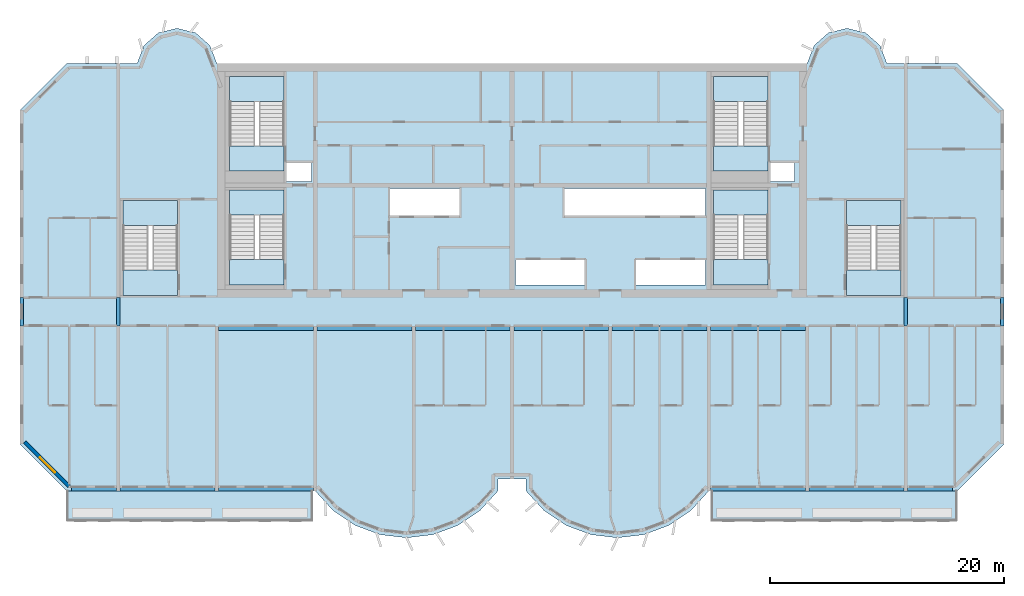
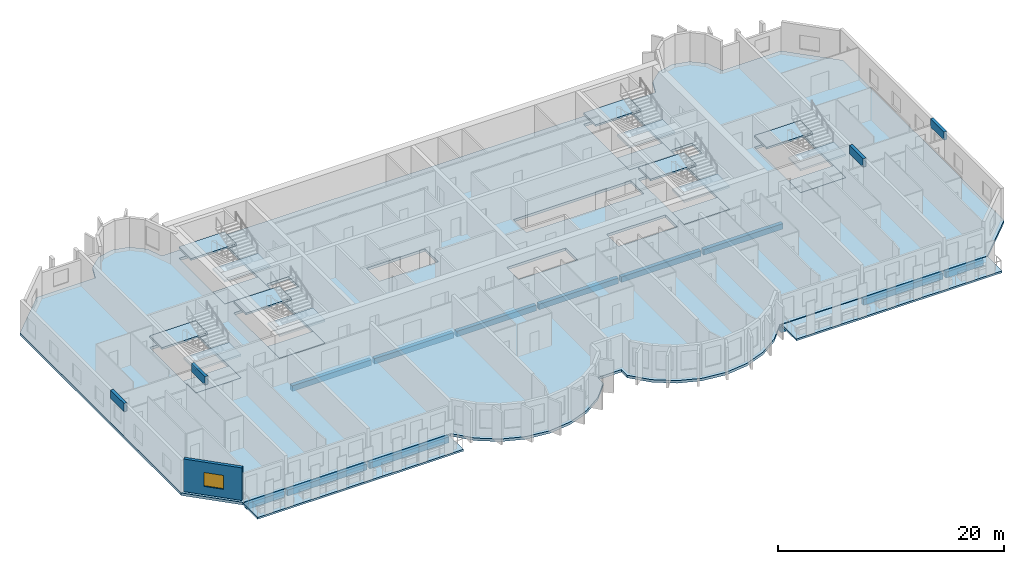
# One storey, part 1 of 13: 21 slabs, 16 beams, 1 wall, 1 window, 1 opening, 6 elements without a shape of their own.
"""IFC4 building model written with IfcOpenShell, lengths in metres."""

from ifc_helpers import new_model, si_unit, direction, frame, frame_2d, origin, origin_2d, place, context, subcontext, project, spatial, polyline, rectangle, outline, extrude, source, transform, mapped, material, layer, layer_set, material_profile, profile_set, type_object, element, fill, aggregate, save


model = new_model("IFC4")

# Units and contexts
model_context = context("Model", 3, precision=1e-05, world=origin(), true_north=direction((0.0, 1.0)))
body_context = subcontext(model_context, "Body", "Model", "MODEL_VIEW")
ifc_project = project(units=[si_unit("LENGTHUNIT", "METRE"), si_unit("AREAUNIT", "SQUARE_METRE"), si_unit("VOLUMEUNIT", "CUBIC_METRE"), si_unit("PLANEANGLEUNIT", "RADIAN"), si_unit("MASSUNIT", "GRAM", prefix="KILO")], contexts=[model_context])

# Site, building, storey
site_placement = place(None, origin())
site = spatial("IfcSite", under=ifc_project, at=site_placement, CompositionType="ELEMENT")
building_placement = place(site_placement, origin())
building = spatial("IfcBuilding", under=site, at=building_placement, Name="Vanashikhar Sky Hotel", CompositionType="ELEMENT")
storey_placement = place(building_placement, frame((0.0, 0.0, 193.39990234375)))
storey = spatial("IfcBuildingStorey", under=building, at=storey_placement, Name="L47", CompositionType="ELEMENT", Elevation=193.39990234375)

# Beams
ifc_material_1 = material(Name="Concrete M50", Category="concrete")
ifc_material_profile_1 = material_profile(ifc_material_1, rectangle(XDim=0.300048828125, YDim=0.89990234375, at=origin_2d()))
ifc_profile_set_1 = profile_set([ifc_material_profile_1], Name="RC 300x900 beam Concrete M50")
beam_type_1 = type_object("IfcBeamType", Name="RC 300x900 beam Concrete M50", PredefinedType="LINTEL", material=ifc_profile_set_1)
shared_shape_1 = source(origin(), body_context, "Body", "SweptSolid", [
    extrude(rectangle(XDim=0.300048828125, YDim=0.89990234375, at=origin_2d()), origin(), (0.0, 0.0, 1.0), 2.39990234375),
])
for number, where, z_axis, x_axis, name in (
    (1, (8.550048828125, 19.60009765625, 3.070068359375), (0.0, 1.0, 0.0), (-1.0, 0.0, 0.0), "LB-L47-XW02"),
    (2, (16.800048828125, 19.60009765625, 3.070068359375), (0.0, 1.0, 0.0), (-1.0, 0.0, 0.0), "LB-L47-XW03"),
    (3, (84.0, 19.60009765625, 3.070068359375), (0.0, 1.0, 0.0), (-1.0, 0.0, 0.0), "LB-L47-XW11"),
    (4, (92.25, 19.60009765625, 3.070068359375), (0.0, 1.0, 0.0), (-1.0, 0.0, 0.0), "LB-L47-XW12"),
):
    element("IfcBeam", number, at=place(storey_placement, frame(where, z_axis=z_axis, x_axis=x_axis)), inside=storey, type_object=beam_type_1, Name=name, PredefinedType="LINTEL", context=body_context, shape_type="MappedRepresentation", body=[
        mapped(shared_shape_1, transform((0.0, 0.0, 0.0), scale=1.0)),
    ])
ifc_material_profile_2 = material_profile(ifc_material_1, rectangle(XDim=0.39990234375, YDim=0.64990234375, at=origin_2d()))
ifc_profile_set_2 = profile_set([ifc_material_profile_2], Name="RC 400x650 beam Concrete M50")
beam_type_2 = type_object("IfcBeamType", Name="RC 400x650 beam Concrete M50", PredefinedType="BEAM", material=ifc_profile_set_2)
shared_shape_2 = source(origin(), body_context, "Body", "SweptSolid", [
    extrude(rectangle(XDim=0.39990234375, YDim=0.64990234375, at=origin_2d()), origin(), (0.0, 0.0, 1.0), 8.10009765625),
])
for number, where, z_axis, x_axis, name in (
    (5, (16.949951171875, 5.699951171875, -0.60498046875), (1.0, 0.0, 0.0), (0.0, 1.0, 0.0), "EB-L47-F01"),
    (6, (75.75, 5.699951171875, -0.60498046875), (1.0, 0.0, 0.0), (0.0, 1.0, 0.0), "EB-L47-F05"),
):
    element("IfcBeam", number, at=place(storey_placement, frame(where, z_axis=z_axis, x_axis=x_axis)), inside=storey, type_object=beam_type_2, Name=name, PredefinedType="BEAM", context=body_context, shape_type="MappedRepresentation", body=[
        mapped(shared_shape_2, transform((0.0, 0.0, 0.0), scale=1.0)),
    ])
shared_shape_3 = source(origin(), body_context, "Body", "SweptSolid", [
    extrude(rectangle(XDim=0.39990234375, YDim=0.64990234375, at=origin_2d()), origin(), (0.0, 0.0, 1.0), 8.099853515625),
])
for number, where, z_axis, x_axis, name in (
    (7, (25.35009765625, 5.699951171875, -0.60498046875), (1.0, 0.0, 0.0), (0.0, 1.0, 0.0), "EB-L47-F02"),
    (8, (67.35009765625, 5.699951171875, -0.60498046875), (1.0, 0.0, 0.0), (0.0, 1.0, 0.0), "EB-L47-F04"),
):
    element("IfcBeam", number, at=place(storey_placement, frame(where, z_axis=z_axis, x_axis=x_axis)), inside=storey, type_object=beam_type_2, Name=name, PredefinedType="BEAM", context=body_context, shape_type="MappedRepresentation", body=[
        mapped(shared_shape_3, transform((0.0, 0.0, 0.0), scale=1.0)),
    ])
ifc_material_profile_3 = material_profile(ifc_material_1, rectangle(XDim=0.39990234375, YDim=0.64990234375, at=origin_2d()))
ifc_profile_set_3 = profile_set([ifc_material_profile_3], Name="RC 400x650 cantilever beam Concrete M50")
beam_type_3 = type_object("IfcBeamType", Name="RC 400x650 cantilever beam Concrete M50", PredefinedType="SPANDREL", material=ifc_profile_set_3)
shared_shape_4 = source(origin(), body_context, "Body", "SweptSolid", [
    extrude(rectangle(XDim=0.39990234375, YDim=0.64990234375, at=origin_2d()), origin(), (0.0, 0.0, 1.0), 3.849853515625),
])
beam_1_placement = place(storey_placement, frame((12.800048828125, 5.699951171875, -0.60498046875), z_axis=(1.0, 0.0, 0.0), x_axis=(0.0, 1.0, 0.0)))
element("IfcBeam", 9, at=beam_1_placement, inside=storey, type_object=beam_type_3, Name="EB-L47-F03", PredefinedType="SPANDREL", context=body_context, shape_type="MappedRepresentation", body=[
    mapped(shared_shape_4, transform((0.0, 0.0, 0.0), scale=1.0)),
])
shared_shape_5 = source(origin(), body_context, "Body", "SweptSolid", [
    extrude(rectangle(XDim=0.39990234375, YDim=0.64990234375, at=origin_2d()), origin(), (0.0, 0.0, 1.0), 3.85009765625),
])
beam_2_placement = place(storey_placement, frame((84.14990234375, 5.699951171875, -0.60498046875), z_axis=(1.0, 0.0, 0.0), x_axis=(0.0, 1.0, 0.0)))
element("IfcBeam", 10, at=beam_2_placement, inside=storey, type_object=beam_type_3, Name="EB-L47-F06", PredefinedType="SPANDREL", context=body_context, shape_type="MappedRepresentation", body=[
    mapped(shared_shape_5, transform((0.0, 0.0, 0.0), scale=1.0)),
])
ifc_material_profile_4 = material_profile(ifc_material_1, rectangle(XDim=0.39990234375, YDim=0.60009765625, at=origin_2d()))
ifc_profile_set_4 = profile_set([ifc_material_profile_4], Name="RC 400x600 beam Concrete M50")
beam_type_4 = type_object("IfcBeamType", Name="RC 400x600 beam Concrete M50", PredefinedType="BEAM", material=ifc_profile_set_4)
shared_shape_6 = source(origin(), body_context, "Body", "SweptSolid", [
    extrude(rectangle(XDim=0.39990234375, YDim=0.60009765625, at=origin_2d()), origin(), (0.0, 0.0, 1.0), 8.099853515625),
])
for number, where, z_axis, x_axis, name in (
    (11, (25.35009765625, 19.39990234375, -0.579833984375), (1.0, 0.0, 0.0), (0.0, 1.0, 0.0), "CB-L47-01"),
    (12, (50.550048828125, 19.39990234375, -0.579833984375), (1.0, 0.0, 0.0), (0.0, 1.0, 0.0), "CB-L47-04"),
    (13, (67.35009765625, 19.39990234375, -0.579833984375), (1.0, 0.0, 0.0), (0.0, 1.0, 0.0), "CB-L47-06"),
):
    element("IfcBeam", number, at=place(storey_placement, frame(where, z_axis=z_axis, x_axis=x_axis)), inside=storey, type_object=beam_type_4, Name=name, PredefinedType="BEAM", context=body_context, shape_type="MappedRepresentation", body=[
        mapped(shared_shape_6, transform((0.0, 0.0, 0.0), scale=1.0)),
    ])
shared_shape_7 = source(origin(), body_context, "Body", "SweptSolid", [
    extrude(rectangle(XDim=0.39990234375, YDim=0.60009765625, at=origin_2d()), origin(), (0.0, 0.0, 1.0), 8.10009765625),
])
for number, where, z_axis, x_axis, name in (
    (14, (33.75, 19.39990234375, -0.579833984375), (1.0, 0.0, 0.0), (0.0, 1.0, 0.0), "CB-L47-02"),
    (15, (42.14990234375, 19.39990234375, -0.579833984375), (1.0, 0.0, 0.0), (0.0, 1.0, 0.0), "CB-L47-03"),
    (16, (58.949951171875, 19.39990234375, -0.579833984375), (1.0, 0.0, 0.0), (0.0, 1.0, 0.0), "CB-L47-05"),
):
    element("IfcBeam", number, at=place(storey_placement, frame(where, z_axis=z_axis, x_axis=x_axis)), inside=storey, type_object=beam_type_4, Name=name, PredefinedType="BEAM", context=body_context, shape_type="MappedRepresentation", body=[
        mapped(shared_shape_7, transform((0.0, 0.0, 0.0), scale=1.0)),
    ])

# Slabs
ifc_material_2 = material(Name="Concrete M40", Category="concrete")
ifc_layer_1 = layer(ifc_material_2, 0.280029296875)
ifc_layer_set_1 = layer_set([ifc_layer_1], Name="Floor slab 280 mm")
slab_type_1 = type_object("IfcSlabType", Name="Floor slab 280 mm", PredefinedType="FLOOR", material=ifc_layer_set_1)
shared_shape_8 = source(origin(), body_context, "Body", "SweptSolid", [
    extrude(outline(polyline([(49.199951171875, 5.5), (49.199951171875, 6.5), (51.60009765625, 6.5), (51.60009765625, 5.5), (53.133056640625, 3.825927734375), (55.01708984375, 2.55810546875), (57.14599609375, 1.76806640625), (59.39990234375, 1.5), (61.654052734375, 1.76806640625), (63.782958984375, 2.55810546875), (65.6669921875, 3.825927734375), (67.199951171875, 5.5), (88.39990234375, 5.5), (92.39990234375, 9.5), (92.39990234375, 38.0), (88.39990234375, 42.0), (82.39990234375, 42.0), (81.81494140625, 43.527099609375), (80.587890625, 44.610107421875), (79.0, 45.0), (77.412109375, 44.610107421875), (76.18505859375, 43.527099609375), (75.60009765625, 42.0), (25.199951171875, 42.0), (24.614990234375, 43.527099609375), (23.387939453125, 44.610107421875), (21.800048828125, 45.0), (20.2119140625, 44.610107421875), (18.985107421875, 43.527099609375), (18.39990234375, 42.0), (12.39990234375, 42.0), (8.39990234375, 38.0), (8.39990234375, 9.5), (12.39990234375, 5.5), (33.60009765625, 5.5), (35.133056640625, 3.825927734375), (37.01708984375, 2.55810546875), (39.14599609375, 1.76806640625), (41.39990234375, 1.5), (43.654052734375, 1.76806640625), (45.782958984375, 2.55810546875), (47.6669921875, 3.825927734375), (49.199951171875, 5.5)]), holes=[polyline([(33.300048828125, 33.60009765625), (31.050048828125, 33.60009765625), (31.050048828125, 31.89990234375), (33.300048828125, 31.89990234375), (33.300048828125, 33.60009765625)]), polyline([(39.89990234375, 31.300048828125), (39.89990234375, 29.0), (45.89990234375, 29.0), (45.89990234375, 31.300048828125), (39.89990234375, 31.300048828125)]), polyline([(50.699951171875, 25.199951171875), (50.699951171875, 23.10009765625), (56.699951171875, 23.10009765625), (56.699951171875, 25.199951171875), (50.699951171875, 25.199951171875)]), polyline([(66.89990234375, 29.0), (66.89990234375, 31.300048828125), (54.89990234375, 31.300048828125), (54.89990234375, 29.0), (66.89990234375, 29.0)]), polyline([(60.89990234375, 25.199951171875), (60.89990234375, 23.10009765625), (66.89990234375, 23.10009765625), (66.89990234375, 25.199951171875), (60.89990234375, 25.199951171875)]), polyline([(74.5, 33.60009765625), (72.35009765625, 33.60009765625), (72.35009765625, 31.89990234375), (74.5, 31.89990234375), (74.5, 33.60009765625)]), polyline([(30.949951171875, 23.10009765625), (30.949951171875, 31.199951171875), (26.300048828125, 31.199951171875), (26.300048828125, 23.10009765625), (30.949951171875, 23.10009765625)]), polyline([(72.25, 23.10009765625), (72.25, 31.199951171875), (67.60009765625, 31.199951171875), (67.60009765625, 23.10009765625), (72.25, 23.10009765625)]), polyline([(30.949951171875, 32.800048828125), (30.949951171875, 40.89990234375), (26.300048828125, 40.89990234375), (26.300048828125, 32.800048828125), (30.949951171875, 32.800048828125)]), polyline([(72.25, 32.800048828125), (72.25, 40.89990234375), (67.60009765625, 40.89990234375), (67.60009765625, 32.800048828125), (72.25, 32.800048828125)]), polyline([(83.60009765625, 22.199951171875), (83.60009765625, 30.300048828125), (78.949951171875, 30.300048828125), (78.949951171875, 22.199951171875), (83.60009765625, 22.199951171875)]), polyline([(21.85009765625, 22.199951171875), (21.85009765625, 30.300048828125), (17.199951171875, 30.300048828125), (17.199951171875, 22.199951171875), (21.85009765625, 22.199951171875)])]), origin(), (0.0, 0.0, 1.0), 0.27978515625),
])
slab_1_placement = place(storey_placement, frame((0.0, 0.0, -0.27978515625)))
element("IfcSlab", 17, at=slab_1_placement, inside=storey, type_object=slab_type_1, Name="Floor slab L47", PredefinedType="FLOOR", context=body_context, shape_type="MappedRepresentation", body=[
    mapped(shared_shape_8, transform((0.0, 0.0, 0.0), scale=1.0)),
])
ifc_layer_2 = layer(ifc_material_2, 0.199951171875)
ifc_layer_set_2 = layer_set([ifc_layer_2], Name="Balcony slab 200 mm")
slab_type_2 = type_object("IfcSlabType", Name="Balcony slab 200 mm", PredefinedType="USERDEFINED", material=ifc_layer_set_2)
shared_shape_9 = source(origin(), body_context, "Body", "SweptSolid", [
    extrude(outline(polyline([(12.39990234375, 2.89990234375), (33.39990234375, 2.89990234375), (33.39990234375, 5.5), (12.39990234375, 5.5), (12.39990234375, 2.89990234375)])), origin(), (0.0, 0.0, 1.0), 0.2001953125),
])
slab_2_placement = place(storey_placement, frame((0.0, 0.0, -0.25)))
element("IfcSlab", 18, at=slab_2_placement, inside=storey, type_object=slab_type_2, Name="Balcony slab L47 1", ObjectType="BALCONY", PredefinedType="USERDEFINED", context=body_context, shape_type="MappedRepresentation", body=[
    mapped(shared_shape_9, transform((0.0, 0.0, 0.0), scale=1.0)),
])
shared_shape_10 = source(origin(), body_context, "Body", "SweptSolid", [
    extrude(outline(polyline([(67.39990234375, 2.89990234375), (88.39990234375, 2.89990234375), (88.39990234375, 5.5), (67.39990234375, 5.5), (67.39990234375, 2.89990234375)])), origin(), (0.0, 0.0, 1.0), 0.2001953125),
])
slab_3_placement = place(storey_placement, frame((0.0, 0.0, -0.25)))
element("IfcSlab", 19, at=slab_3_placement, inside=storey, type_object=slab_type_2, Name="Balcony slab L47 2", ObjectType="BALCONY", PredefinedType="USERDEFINED", context=body_context, shape_type="MappedRepresentation", body=[
    mapped(shared_shape_10, transform((0.0, 0.0, 0.0), scale=1.0)),
])

# Stair, slabs
stair_type = type_object("IfcStairType", Name="Exit stair 2150", PredefinedType="DOUBLE_RETURN_STAIR", material=ifc_material_2)
stair_1_placement = place(storey_placement, origin())
stair_1 = element("IfcStair", 20, at=stair_1_placement, inside=storey, type_object=stair_type, Name="L47 Exit stair 1", PredefinedType="DOUBLE_RETURN_STAIR")
ifc_layer_3 = layer(ifc_material_2, 0.199951171875)
ifc_layer_set_3 = layer_set([ifc_layer_3], Name="Stair landing 200")
slab_type_3 = type_object("IfcSlabType", Name="Stair landing 200", PredefinedType="LANDING", material=ifc_layer_set_3)
shared_shape_11 = source(origin(), body_context, "Body", "SweptSolid", [
    extrude(outline(polyline([(30.949951171875, 23.10009765625), (30.949951171875, 25.25), (26.300048828125, 25.25), (26.300048828125, 23.10009765625), (30.949951171875, 23.10009765625)])), origin(), (0.0, 0.0, 1.0), 0.199951171875),
])
slab_4_placement = place(storey_placement, frame((0.0, 0.0, 2.33349609375)))
slab_4 = element("IfcSlab", 21, at=slab_4_placement, type_object=slab_type_3, Name="ST-C1 landing 2", PredefinedType="LANDING", context=body_context, shape_type="MappedRepresentation", body=[
    mapped(shared_shape_11, transform((0.0, 0.0, 0.0), scale=1.0)),
])
shared_shape_12 = source(origin(), body_context, "Body", "SweptSolid", [
    extrude(outline(polyline([(30.949951171875, 29.050048828125), (30.949951171875, 31.199951171875), (26.300048828125, 31.199951171875), (26.300048828125, 29.050048828125), (30.949951171875, 29.050048828125)])), origin(), (0.0, 0.0, 1.0), 0.2001953125),
])
slab_5_placement = place(storey_placement, frame((0.0, 0.0, 1.066650390625)))
slab_5 = element("IfcSlab", 22, at=slab_5_placement, type_object=slab_type_3, Name="ST-C1 landing 1", PredefinedType="LANDING", context=body_context, shape_type="MappedRepresentation", body=[
    mapped(shared_shape_12, transform((0.0, 0.0, 0.0), scale=1.0)),
])
aggregate(stair_1, [slab_5, slab_4])

# Slab
ifc_layer_4 = layer(ifc_material_2, 0.280029296875)
ifc_layer_set_4 = layer_set([ifc_layer_4], Name="Stair floor landing 280")
slab_type_4 = type_object("IfcSlabType", Name="Stair floor landing 280", PredefinedType="LANDING", material=ifc_layer_set_4)
shared_shape_13 = source(origin(), body_context, "Body", "SweptSolid", [
    extrude(outline(polyline([(30.949951171875, 23.10009765625), (30.949951171875, 25.25), (26.300048828125, 25.25), (26.300048828125, 23.10009765625), (30.949951171875, 23.10009765625)])), origin(), (0.0, 0.0, 1.0), 0.27978515625),
])
slab_6_placement = place(storey_placement, frame((0.0, 0.0, -0.27978515625)))
element("IfcSlab", 23, at=slab_6_placement, inside=storey, type_object=slab_type_4, Name="Exit stair 1 floor landing", PredefinedType="LANDING", context=body_context, shape_type="MappedRepresentation", body=[
    mapped(shared_shape_13, transform((0.0, 0.0, 0.0), scale=1.0)),
])

# Stair, slabs
stair_2_placement = place(storey_placement, origin())
stair_2 = element("IfcStair", 24, at=stair_2_placement, inside=storey, type_object=stair_type, Name="L47 Exit stair 2", PredefinedType="DOUBLE_RETURN_STAIR")
shared_shape_14 = source(origin(), body_context, "Body", "SweptSolid", [
    extrude(outline(polyline([(72.25, 23.10009765625), (72.25, 25.25), (67.60009765625, 25.25), (67.60009765625, 23.10009765625), (72.25, 23.10009765625)])), origin(), (0.0, 0.0, 1.0), 0.199951171875),
])
slab_7_placement = place(storey_placement, frame((0.0, 0.0, 2.33349609375)))
slab_7 = element("IfcSlab", 25, at=slab_7_placement, type_object=slab_type_3, Name="ST-C2 landing 2", PredefinedType="LANDING", context=body_context, shape_type="MappedRepresentation", body=[
    mapped(shared_shape_14, transform((0.0, 0.0, 0.0), scale=1.0)),
])
shared_shape_15 = source(origin(), body_context, "Body", "SweptSolid", [
    extrude(outline(polyline([(72.25, 29.050048828125), (72.25, 31.199951171875), (67.60009765625, 31.199951171875), (67.60009765625, 29.050048828125), (72.25, 29.050048828125)])), origin(), (0.0, 0.0, 1.0), 0.2001953125),
])
slab_8_placement = place(storey_placement, frame((0.0, 0.0, 1.066650390625)))
slab_8 = element("IfcSlab", 26, at=slab_8_placement, type_object=slab_type_3, Name="ST-C2 landing 1", PredefinedType="LANDING", context=body_context, shape_type="MappedRepresentation", body=[
    mapped(shared_shape_15, transform((0.0, 0.0, 0.0), scale=1.0)),
])
aggregate(stair_2, [slab_8, slab_7])

# Slab
shared_shape_16 = source(origin(), body_context, "Body", "SweptSolid", [
    extrude(outline(polyline([(72.25, 23.10009765625), (72.25, 25.25), (67.60009765625, 25.25), (67.60009765625, 23.10009765625), (72.25, 23.10009765625)])), origin(), (0.0, 0.0, 1.0), 0.27978515625),
])
slab_9_placement = place(storey_placement, frame((0.0, 0.0, -0.27978515625)))
element("IfcSlab", 27, at=slab_9_placement, inside=storey, type_object=slab_type_4, Name="Exit stair 2 floor landing", PredefinedType="LANDING", context=body_context, shape_type="MappedRepresentation", body=[
    mapped(shared_shape_16, transform((0.0, 0.0, 0.0), scale=1.0)),
])

# Stair, slabs
stair_3_placement = place(storey_placement, origin())
stair_3 = element("IfcStair", 28, at=stair_3_placement, inside=storey, type_object=stair_type, Name="L47 Exit stair 3", PredefinedType="DOUBLE_RETURN_STAIR")
shared_shape_17 = source(origin(), body_context, "Body", "SweptSolid", [
    extrude(outline(polyline([(21.85009765625, 22.199951171875), (21.85009765625, 24.35009765625), (17.199951171875, 24.35009765625), (17.199951171875, 22.199951171875), (21.85009765625, 22.199951171875)])), origin(), (0.0, 0.0, 1.0), 0.199951171875),
])
slab_10_placement = place(storey_placement, frame((0.0, 0.0, 2.33349609375)))
slab_10 = element("IfcSlab", 29, at=slab_10_placement, type_object=slab_type_3, Name="ST-W landing 2", PredefinedType="LANDING", context=body_context, shape_type="MappedRepresentation", body=[
    mapped(shared_shape_17, transform((0.0, 0.0, 0.0), scale=1.0)),
])
shared_shape_18 = source(origin(), body_context, "Body", "SweptSolid", [
    extrude(outline(polyline([(21.85009765625, 28.14990234375), (21.85009765625, 30.300048828125), (17.199951171875, 30.300048828125), (17.199951171875, 28.14990234375), (21.85009765625, 28.14990234375)])), origin(), (0.0, 0.0, 1.0), 0.2001953125),
])
slab_11_placement = place(storey_placement, frame((0.0, 0.0, 1.066650390625)))
slab_11 = element("IfcSlab", 30, at=slab_11_placement, type_object=slab_type_3, Name="ST-W landing 1", PredefinedType="LANDING", context=body_context, shape_type="MappedRepresentation", body=[
    mapped(shared_shape_18, transform((0.0, 0.0, 0.0), scale=1.0)),
])
aggregate(stair_3, [slab_11, slab_10])

# Slab
shared_shape_19 = source(origin(), body_context, "Body", "SweptSolid", [
    extrude(outline(polyline([(21.85009765625, 22.199951171875), (21.85009765625, 24.35009765625), (17.199951171875, 24.35009765625), (17.199951171875, 22.199951171875), (21.85009765625, 22.199951171875)])), origin(), (0.0, 0.0, 1.0), 0.27978515625),
])
slab_12_placement = place(storey_placement, frame((0.0, 0.0, -0.27978515625)))
element("IfcSlab", 31, at=slab_12_placement, inside=storey, type_object=slab_type_4, Name="Exit stair 3 floor landing", PredefinedType="LANDING", context=body_context, shape_type="MappedRepresentation", body=[
    mapped(shared_shape_19, transform((0.0, 0.0, 0.0), scale=1.0)),
])

# Stair, slabs
stair_4_placement = place(storey_placement, origin())
stair_4 = element("IfcStair", 32, at=stair_4_placement, inside=storey, type_object=stair_type, Name="L47 Exit stair 4", PredefinedType="DOUBLE_RETURN_STAIR")
shared_shape_20 = source(origin(), body_context, "Body", "SweptSolid", [
    extrude(outline(polyline([(83.60009765625, 22.199951171875), (83.60009765625, 24.35009765625), (78.949951171875, 24.35009765625), (78.949951171875, 22.199951171875), (83.60009765625, 22.199951171875)])), origin(), (0.0, 0.0, 1.0), 0.199951171875),
])
slab_13_placement = place(storey_placement, frame((0.0, 0.0, 2.33349609375)))
slab_13 = element("IfcSlab", 33, at=slab_13_placement, type_object=slab_type_3, Name="ST-E landing 2", PredefinedType="LANDING", context=body_context, shape_type="MappedRepresentation", body=[
    mapped(shared_shape_20, transform((0.0, 0.0, 0.0), scale=1.0)),
])
shared_shape_21 = source(origin(), body_context, "Body", "SweptSolid", [
    extrude(outline(polyline([(83.60009765625, 28.14990234375), (83.60009765625, 30.300048828125), (78.949951171875, 30.300048828125), (78.949951171875, 28.14990234375), (83.60009765625, 28.14990234375)])), origin(), (0.0, 0.0, 1.0), 0.2001953125),
])
slab_14_placement = place(storey_placement, frame((0.0, 0.0, 1.066650390625)))
slab_14 = element("IfcSlab", 34, at=slab_14_placement, type_object=slab_type_3, Name="ST-E landing 1", PredefinedType="LANDING", context=body_context, shape_type="MappedRepresentation", body=[
    mapped(shared_shape_21, transform((0.0, 0.0, 0.0), scale=1.0)),
])
aggregate(stair_4, [slab_14, slab_13])

# Slab
shared_shape_22 = source(origin(), body_context, "Body", "SweptSolid", [
    extrude(outline(polyline([(83.60009765625, 22.199951171875), (83.60009765625, 24.35009765625), (78.949951171875, 24.35009765625), (78.949951171875, 22.199951171875), (83.60009765625, 22.199951171875)])), origin(), (0.0, 0.0, 1.0), 0.27978515625),
])
slab_15_placement = place(storey_placement, frame((0.0, 0.0, -0.27978515625)))
element("IfcSlab", 35, at=slab_15_placement, inside=storey, type_object=slab_type_4, Name="Exit stair 4 floor landing", PredefinedType="LANDING", context=body_context, shape_type="MappedRepresentation", body=[
    mapped(shared_shape_22, transform((0.0, 0.0, 0.0), scale=1.0)),
])

# Stair, slabs
stair_5_placement = place(storey_placement, origin())
stair_5 = element("IfcStair", 36, at=stair_5_placement, inside=storey, type_object=stair_type, Name="L47 Exit stair 5", PredefinedType="DOUBLE_RETURN_STAIR")
shared_shape_23 = source(origin(), body_context, "Body", "SweptSolid", [
    extrude(outline(polyline([(30.949951171875, 32.800048828125), (30.949951171875, 34.949951171875), (26.300048828125, 34.949951171875), (26.300048828125, 32.800048828125), (30.949951171875, 32.800048828125)])), origin(), (0.0, 0.0, 1.0), 0.199951171875),
])
slab_16_placement = place(storey_placement, frame((0.0, 0.0, 2.33349609375)))
slab_16 = element("IfcSlab", 37, at=slab_16_placement, type_object=slab_type_3, Name="ST-C3 landing 2", PredefinedType="LANDING", context=body_context, shape_type="MappedRepresentation", body=[
    mapped(shared_shape_23, transform((0.0, 0.0, 0.0), scale=1.0)),
])
shared_shape_24 = source(origin(), body_context, "Body", "SweptSolid", [
    extrude(outline(polyline([(30.949951171875, 38.75), (30.949951171875, 40.89990234375), (26.300048828125, 40.89990234375), (26.300048828125, 38.75), (30.949951171875, 38.75)])), origin(), (0.0, 0.0, 1.0), 0.2001953125),
])
slab_17_placement = place(storey_placement, frame((0.0, 0.0, 1.066650390625)))
slab_17 = element("IfcSlab", 38, at=slab_17_placement, type_object=slab_type_3, Name="ST-C3 landing 1", PredefinedType="LANDING", context=body_context, shape_type="MappedRepresentation", body=[
    mapped(shared_shape_24, transform((0.0, 0.0, 0.0), scale=1.0)),
])
aggregate(stair_5, [slab_17, slab_16])

# Slab
shared_shape_25 = source(origin(), body_context, "Body", "SweptSolid", [
    extrude(outline(polyline([(30.949951171875, 32.800048828125), (30.949951171875, 34.949951171875), (26.300048828125, 34.949951171875), (26.300048828125, 32.800048828125), (30.949951171875, 32.800048828125)])), origin(), (0.0, 0.0, 1.0), 0.27978515625),
])
slab_18_placement = place(storey_placement, frame((0.0, 0.0, -0.27978515625)))
element("IfcSlab", 39, at=slab_18_placement, inside=storey, type_object=slab_type_4, Name="Exit stair 5 floor landing", PredefinedType="LANDING", context=body_context, shape_type="MappedRepresentation", body=[
    mapped(shared_shape_25, transform((0.0, 0.0, 0.0), scale=1.0)),
])

# Stair, slabs
stair_6_placement = place(storey_placement, origin())
stair_6 = element("IfcStair", 40, at=stair_6_placement, inside=storey, type_object=stair_type, Name="L47 Exit stair 6", PredefinedType="DOUBLE_RETURN_STAIR")
shared_shape_26 = source(origin(), body_context, "Body", "SweptSolid", [
    extrude(outline(polyline([(72.25, 32.800048828125), (72.25, 34.949951171875), (67.60009765625, 34.949951171875), (67.60009765625, 32.800048828125), (72.25, 32.800048828125)])), origin(), (0.0, 0.0, 1.0), 0.199951171875),
])
slab_19_placement = place(storey_placement, frame((0.0, 0.0, 2.33349609375)))
slab_19 = element("IfcSlab", 41, at=slab_19_placement, type_object=slab_type_3, Name="ST-C4 landing 2", PredefinedType="LANDING", context=body_context, shape_type="MappedRepresentation", body=[
    mapped(shared_shape_26, transform((0.0, 0.0, 0.0), scale=1.0)),
])
shared_shape_27 = source(origin(), body_context, "Body", "SweptSolid", [
    extrude(outline(polyline([(72.25, 38.75), (72.25, 40.89990234375), (67.60009765625, 40.89990234375), (67.60009765625, 38.75), (72.25, 38.75)])), origin(), (0.0, 0.0, 1.0), 0.2001953125),
])
slab_20_placement = place(storey_placement, frame((0.0, 0.0, 1.066650390625)))
slab_20 = element("IfcSlab", 42, at=slab_20_placement, type_object=slab_type_3, Name="ST-C4 landing 1", PredefinedType="LANDING", context=body_context, shape_type="MappedRepresentation", body=[
    mapped(shared_shape_27, transform((0.0, 0.0, 0.0), scale=1.0)),
])
aggregate(stair_6, [slab_20, slab_19])

# Slab
shared_shape_28 = source(origin(), body_context, "Body", "SweptSolid", [
    extrude(outline(polyline([(72.25, 32.800048828125), (72.25, 34.949951171875), (67.60009765625, 34.949951171875), (67.60009765625, 32.800048828125), (72.25, 32.800048828125)])), origin(), (0.0, 0.0, 1.0), 0.27978515625),
])
slab_21_placement = place(storey_placement, frame((0.0, 0.0, -0.27978515625)))
element("IfcSlab", 43, at=slab_21_placement, inside=storey, type_object=slab_type_4, Name="Exit stair 6 floor landing", PredefinedType="LANDING", context=body_context, shape_type="MappedRepresentation", body=[
    mapped(shared_shape_28, transform((0.0, 0.0, 0.0), scale=1.0)),
])

# Wall, opening, window
ifc_layer_5 = layer(ifc_material_1, 0.300048828125)
ifc_layer_set_5 = layer_set([ifc_layer_5], Name="Lobe wall 300")
wall_type = type_object("IfcWallType", Name="Lobe wall 300", PredefinedType="SOLIDWALL", material=ifc_layer_set_5)
shared_shape_29 = source(origin(), body_context, "Body", "SweptSolid", [
    extrude(rectangle(XDim=5.32568359375, YDim=0.300048828125, at=frame_2d((2.662841796875, 0.0))), origin(), (0.0, 0.0, 1.0), 3.52001953125),
])
wall_placement = place(storey_placement, frame((8.800048828125, 9.665771484375, 0.0), z_axis=(0.0, 0.0, 1.0), x_axis=(0.707083859269, -0.707129702361, 0.0)))
wall = element("IfcWall", 44, at=wall_placement, inside=storey, type_object=wall_type, Name="Corner wall", PredefinedType="SOLIDWALL", context=body_context, shape_type="MappedRepresentation", body=[
    mapped(shared_shape_29, transform((0.0, 0.0, 0.0), scale=1.0)),
])
shared_shape_30 = source(origin(), body_context, "Body", "SweptSolid", [
    extrude(rectangle(XDim=1.800048828125, YDim=1.5, at=frame_2d((0.89990234375, 0.75))), frame((0.0, 0.16015625, 0.0), z_axis=(0.0, -1.0, 0.0), x_axis=(1.0, 0.0, 0.0)), (0.0, 0.0, 1.0), 0.320068359375),
])
opening_placement = place(wall_placement, frame((1.8359375, 0.0, 0.89990234375)))
opening = element("IfcOpeningElement", 45, at=opening_placement, cuts=wall, Name="Opening WN-4", PredefinedType="OPENING", context=body_context, shape_type="MappedRepresentation", body=[
    mapped(shared_shape_30, transform((0.0, 0.0, 0.0), scale=1.0)),
])
ifc_material_3 = material(Name="Glass", Category="glass")
window_type = type_object("IfcWindowType", Name="Corner window 1800 x 1500", PartitioningType="SINGLE_PANEL", PredefinedType="WINDOW", material=ifc_material_3)
shared_shape_31 = source(origin(), body_context, "Body", "SweptSolid", [
    extrude(rectangle(XDim=1.800048828125, YDim=1.5, at=frame_2d((0.89990234375, 0.75))), frame((0.0, 0.030029296875, 0.0), z_axis=(0.0, -1.0, 0.0), x_axis=(1.0, 0.0, 0.0)), (0.0, 0.0, 1.0), 0.06005859375),
])
window_placement = place(opening_placement, origin())
window = element("IfcWindow", 46, at=window_placement, inside=storey, type_object=window_type, Name="Window WN-4", OverallHeight=1.5, OverallWidth=1.800048828125, PartitioningType="SINGLE_PANEL", PredefinedType="WINDOW", context=body_context, shape_type="MappedRepresentation", body=[
    mapped(shared_shape_31, transform((0.0, 0.0, 0.0), scale=1.0)),
])
fill(opening, window)

save(model, "model.ifc")
